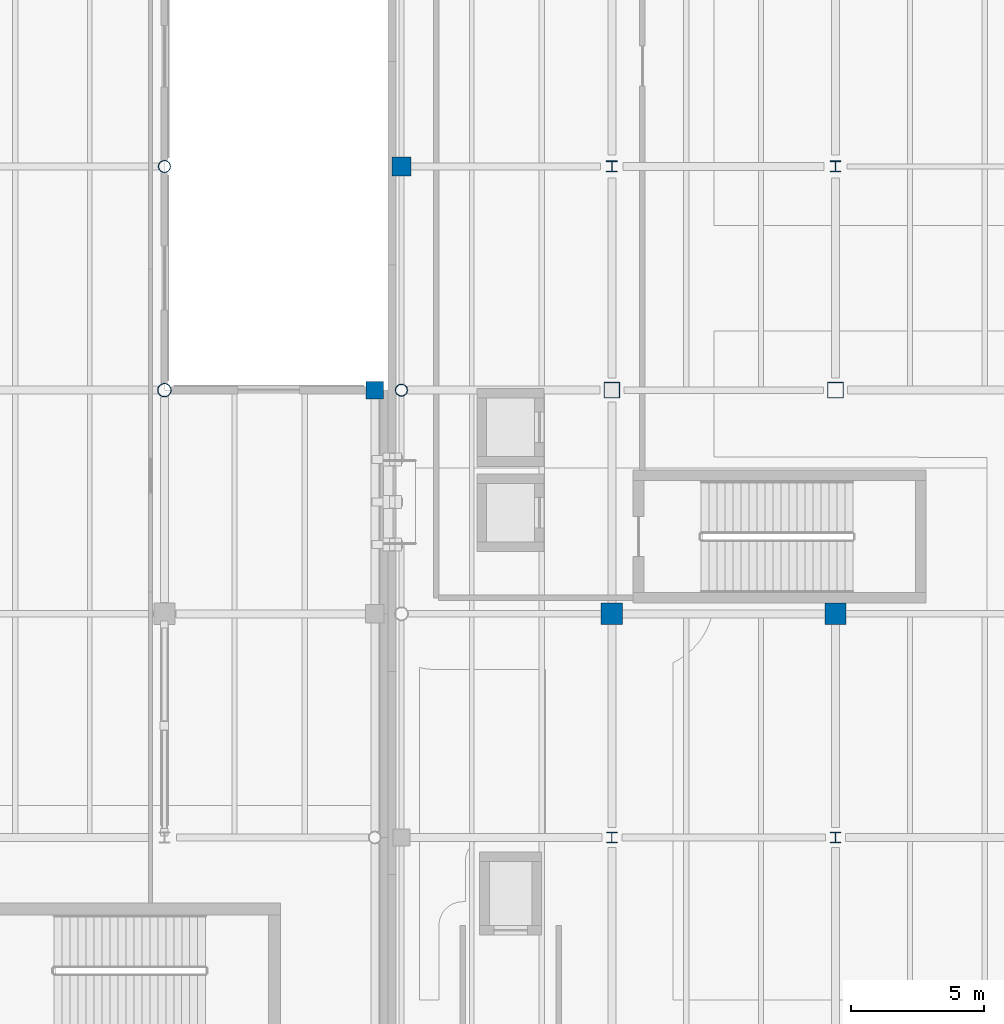
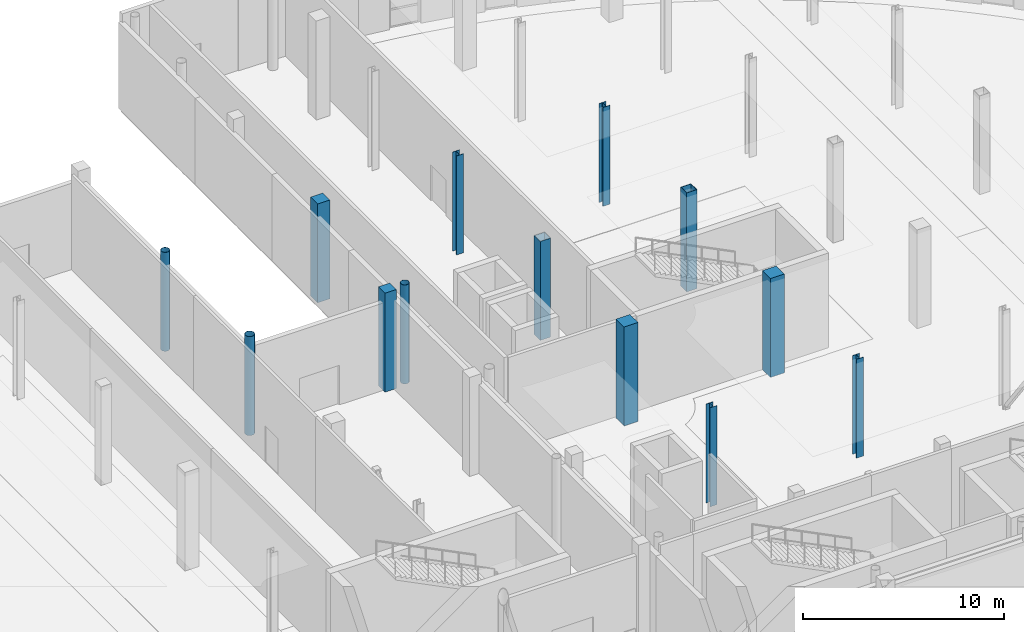
# One storey, part 10 of 85: 13 columns.
"""IFC4 building model written with IfcOpenShell, lengths in metres."""

from ifc_helpers import new_model, si_unit, direction, frame, origin, origin_2d, place, context, subcontext, project, spatial, rectangle, hollow_rectangle, hollow_circle, i_section, extrude, material, material_profile, profile_set, type_object, element, save


model = new_model("IFC4")

# Units and contexts
model_context = context("Model", 3, precision=1e-05, world=origin(), true_north=direction((0.0, 1.0)))
body_context = subcontext(model_context, "Body", "Model", "MODEL_VIEW")
ifc_project = project(units=[si_unit("LENGTHUNIT", "METRE"), si_unit("AREAUNIT", "SQUARE_METRE"), si_unit("VOLUMEUNIT", "CUBIC_METRE"), si_unit("PLANEANGLEUNIT", "RADIAN"), si_unit("MASSUNIT", "GRAM", prefix="KILO"), si_unit("THERMODYNAMICTEMPERATUREUNIT", "KELVIN")], contexts=[model_context])

# Site, building, storey
site_placement = place(None, origin())
site = spatial("IfcSite", under=ifc_project, at=site_placement, CompositionType="ELEMENT")
building_placement = place(site_placement, origin())
building = spatial("IfcBuilding", under=site, at=building_placement, Name="Lustrewick Department Store", CompositionType="ELEMENT")
storey_placement = place(building_placement, origin())
storey = spatial("IfcBuildingStorey", under=building, at=storey_placement, Name="L01", CompositionType="ELEMENT", Elevation=0.0)

# Columns
ifc_material_1 = material(Name="Structural steel Q355C", Category="steel")
ifc_material_profile_1 = material_profile(ifc_material_1, hollow_rectangle(XDim=0.60009765625, YDim=0.60009765625, WallThickness=0.02392578125, at=origin_2d()), Name="BOX 600x600x24")
ifc_profile_set_1 = profile_set([ifc_material_profile_1], Name="Structural steel Q355C")
column_type_1 = type_object("IfcColumnType", Name="C04", PredefinedType="COLUMN", material=ifc_profile_set_1)
for number, where, z_axis, x_axis, name in (
    (1, (117.60009765625, 84.0, 0.0), (0.0, 0.0, 1.0), (1.0, 0.0, 0.0), "L01 V4 Column C04"),
    (2, (126.0, 84.0, 0.0), (0.0, 0.0, 1.0), (1.0, 0.0, 0.0), "L01 V4 Column C04"),
):
    element("IfcColumn", number, at=place(storey_placement, frame(where, z_axis=z_axis, x_axis=x_axis)), inside=storey, type_object=column_type_1, Name=name, PredefinedType="COLUMN", context=body_context, shape_type="SweptSolid", body=[
        extrude(hollow_rectangle(XDim=0.60009765625, YDim=0.60009765625, WallThickness=0.02392578125, at=origin_2d()), origin(), (0.0, 0.0, 1.0), 6.0),
    ])
ifc_material_profile_2 = material_profile(ifc_material_1, i_section(OverallWidth=0.405029296875, OverallDepth=0.4140625, WebThickness=0.01806640625, FlangeThickness=0.028076171875, FilletRadius=0.02197265625, at=origin_2d()), Name="HW 414x405x18x28")
ifc_profile_set_2 = profile_set([ifc_material_profile_2], Name="Structural steel Q355C")
column_type_2 = type_object("IfcColumnType", Name="C10", PredefinedType="COLUMN", material=ifc_profile_set_2)
for number, where, z_axis, x_axis, name in (
    (3, (117.60009765625, 92.39990234375, 0.0), (0.0, 0.0, 1.0), (1.0, 0.0, 0.0), "L01 V4 Column C10"),
    (4, (126.0, 92.39990234375, 0.0), (0.0, 0.0, 1.0), (1.0, 0.0, 0.0), "L01 V4 Column C10"),
):
    element("IfcColumn", number, at=place(storey_placement, frame(where, z_axis=z_axis, x_axis=x_axis)), inside=storey, type_object=column_type_2, Name=name, PredefinedType="COLUMN", context=body_context, shape_type="SweptSolid", body=[
        extrude(i_section(OverallWidth=0.405029296875, OverallDepth=0.4140625, WebThickness=0.01806640625, FlangeThickness=0.028076171875, FilletRadius=0.02197265625, at=origin_2d()), origin(), (0.0, 0.0, 1.0), 6.0),
    ])
ifc_material_2 = material(Name="Structural steel Q355B", Category="steel")
ifc_material_profile_3 = material_profile(ifc_material_2, i_section(OverallWidth=0.39990234375, OverallDepth=0.39990234375, WebThickness=0.012939453125, FlangeThickness=0.02099609375, FilletRadius=0.02197265625, at=origin_2d()), Name="HW 400x400x13x21")
ifc_profile_set_3 = profile_set([ifc_material_profile_3], Name="Structural steel Q355B")
column_type_3 = type_object("IfcColumnType", Name="C11", PredefinedType="COLUMN", material=ifc_profile_set_3)
for number, where, z_axis, x_axis, name in (
    (5, (117.60009765625, 67.199951171875, 0.0), (0.0, 0.0, 1.0), (1.0, 0.0, 0.0), "L01 V4 Column C11"),
    (6, (126.0, 67.199951171875, 0.0), (0.0, 0.0, 1.0), (1.0, 0.0, 0.0), "L01 V4 Column C11"),
):
    element("IfcColumn", number, at=place(storey_placement, frame(where, z_axis=z_axis, x_axis=x_axis)), inside=storey, type_object=column_type_3, Name=name, PredefinedType="COLUMN", context=body_context, shape_type="SweptSolid", body=[
        extrude(i_section(OverallWidth=0.39990234375, OverallDepth=0.39990234375, WebThickness=0.012939453125, FlangeThickness=0.02099609375, FilletRadius=0.02197265625, at=origin_2d()), origin(), (0.0, 0.0, 1.0), 6.0),
    ])
ifc_material_3 = material(Name="Concrete C40", Category="concrete")
ifc_material_profile_4 = material_profile(ifc_material_3, rectangle(XDim=0.800048828125, YDim=0.800048828125, at=origin_2d()), Name="RC 800x800")
ifc_profile_set_4 = profile_set([ifc_material_profile_4], Name="Concrete C40")
column_type_4 = type_object("IfcColumnType", Name="C19", PredefinedType="COLUMN", material=ifc_profile_set_4)
for number, where, z_axis, x_axis, name in (
    (7, (117.60009765625, 75.60009765625, 0.0), (0.0, 0.0, 1.0), (1.0, 0.0, 0.0), "L01 V4 Column C19"),
    (8, (126.0, 75.60009765625, 0.0), (0.0, 0.0, 1.0), (1.0, 0.0, 0.0), "L01 V4 Column C19"),
):
    element("IfcColumn", number, at=place(storey_placement, frame(where, z_axis=z_axis, x_axis=x_axis)), inside=storey, type_object=column_type_4, Name=name, PredefinedType="COLUMN", context=body_context, shape_type="SweptSolid", body=[
        extrude(rectangle(XDim=0.800048828125, YDim=0.800048828125, at=origin_2d()), origin(), (0.0, 0.0, 1.0), 6.0),
    ])
ifc_material_profile_5 = material_profile(ifc_material_1, hollow_circle(Radius=0.25390625, WallThickness=0.01611328125, at=origin_2d()), Name="CHS 508x16")
ifc_profile_set_5 = profile_set([ifc_material_profile_5], Name="Structural steel Q355C")
column_type_5 = type_object("IfcColumnType", Name="CE01", PredefinedType="COLUMN", material=ifc_profile_set_5)
column_1_placement = place(storey_placement, frame((100.800048828125, 84.0, 0.0), z_axis=(0.0, 0.0, 1.0), x_axis=(1.0, 0.0, 0.0)))
element("IfcColumn", 9, at=column_1_placement, inside=storey, type_object=column_type_5, Name="L01 V2 Column CE01", PredefinedType="COLUMN", context=body_context, shape_type="SweptSolid", body=[
    extrude(hollow_circle(Radius=0.25390625, WallThickness=0.01611328125, at=origin_2d()), origin(), (0.0, 0.0, 1.0), 6.0),
])
ifc_material_profile_6 = material_profile(ifc_material_1, hollow_circle(Radius=0.228515625, WallThickness=0.01611328125, at=origin_2d()), Name="CHS 457x16")
ifc_profile_set_6 = profile_set([ifc_material_profile_6], Name="Structural steel Q355C")
column_type_6 = type_object("IfcColumnType", Name="CE02", PredefinedType="COLUMN", material=ifc_profile_set_6)
for number, where, z_axis, x_axis, name in (
    (10, (100.800048828125, 92.39990234375, 0.0), (0.0, 0.0, 1.0), (1.0, 0.0, 0.0), "L01 V2 Column CE02"),
    (11, (109.699951171875, 84.0, 0.0), (0.0, 0.0, 1.0), (1.0, 0.0, 0.0), "L01 V4 Column CE02"),
):
    element("IfcColumn", number, at=place(storey_placement, frame(where, z_axis=z_axis, x_axis=x_axis)), inside=storey, type_object=column_type_6, Name=name, PredefinedType="COLUMN", context=body_context, shape_type="SweptSolid", body=[
        extrude(hollow_circle(Radius=0.228515625, WallThickness=0.01611328125, at=origin_2d()), origin(), (0.0, 0.0, 1.0), 6.0),
    ])
ifc_material_profile_7 = material_profile(ifc_material_3, rectangle(XDim=0.699951171875, YDim=0.699951171875, at=origin_2d()), Name="RC 700x700")
ifc_profile_set_7 = profile_set([ifc_material_profile_7], Name="Concrete C40")
column_type_7 = type_object("IfcColumnType", Name="CE06", PredefinedType="COLUMN", material=ifc_profile_set_7)
column_2_placement = place(storey_placement, frame((109.699951171875, 92.39990234375, 0.0), z_axis=(0.0, 0.0, 1.0), x_axis=(1.0, 0.0, 0.0)))
element("IfcColumn", 12, at=column_2_placement, inside=storey, type_object=column_type_7, Name="L01 V4 Column CE06", PredefinedType="COLUMN", context=body_context, shape_type="SweptSolid", body=[
    extrude(rectangle(XDim=0.699951171875, YDim=0.699951171875, at=origin_2d()), origin(), (0.0, 0.0, 1.0), 6.0),
])
ifc_material_profile_8 = material_profile(ifc_material_3, rectangle(XDim=0.64990234375, YDim=0.64990234375, at=origin_2d()), Name="RC 650x650")
ifc_profile_set_8 = profile_set([ifc_material_profile_8], Name="Concrete C40")
column_type_8 = type_object("IfcColumnType", Name="CE07", PredefinedType="COLUMN", material=ifc_profile_set_8)
column_3_placement = place(storey_placement, frame((108.699951171875, 84.0, 0.0), z_axis=(0.0, 0.0, 1.0), x_axis=(1.0, 0.0, 0.0)))
element("IfcColumn", 13, at=column_3_placement, inside=storey, type_object=column_type_8, Name="L01 V2 Column CE07", PredefinedType="COLUMN", context=body_context, shape_type="SweptSolid", body=[
    extrude(rectangle(XDim=0.64990234375, YDim=0.64990234375, at=origin_2d()), origin(), (0.0, 0.0, 1.0), 6.0),
])

save(model, "model.ifc")
